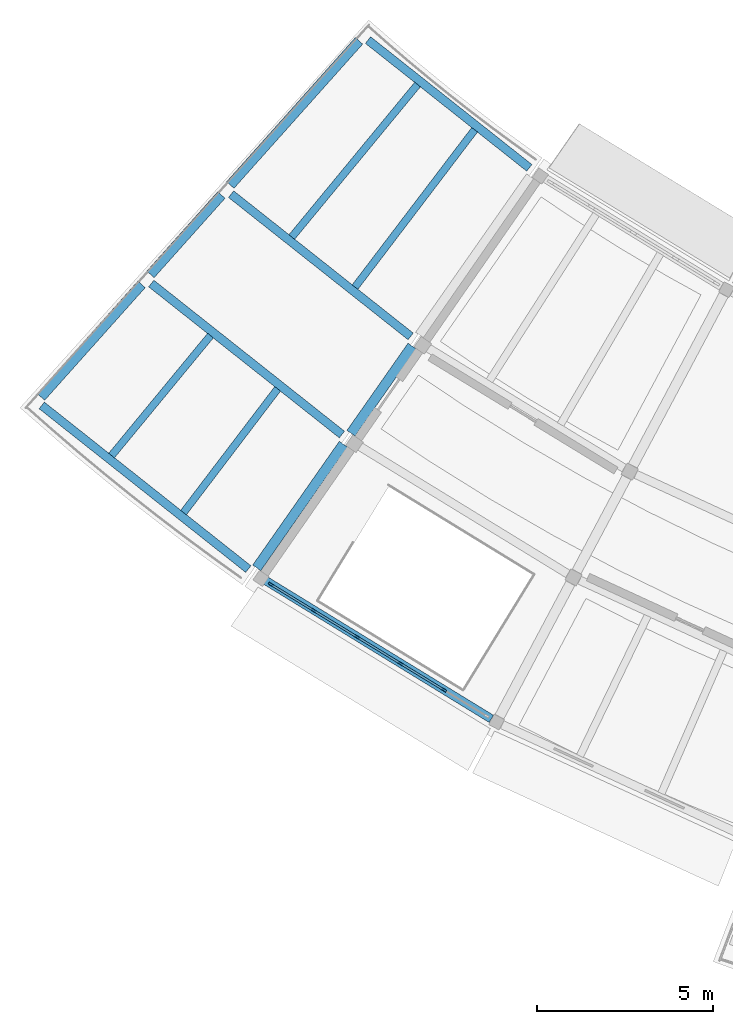
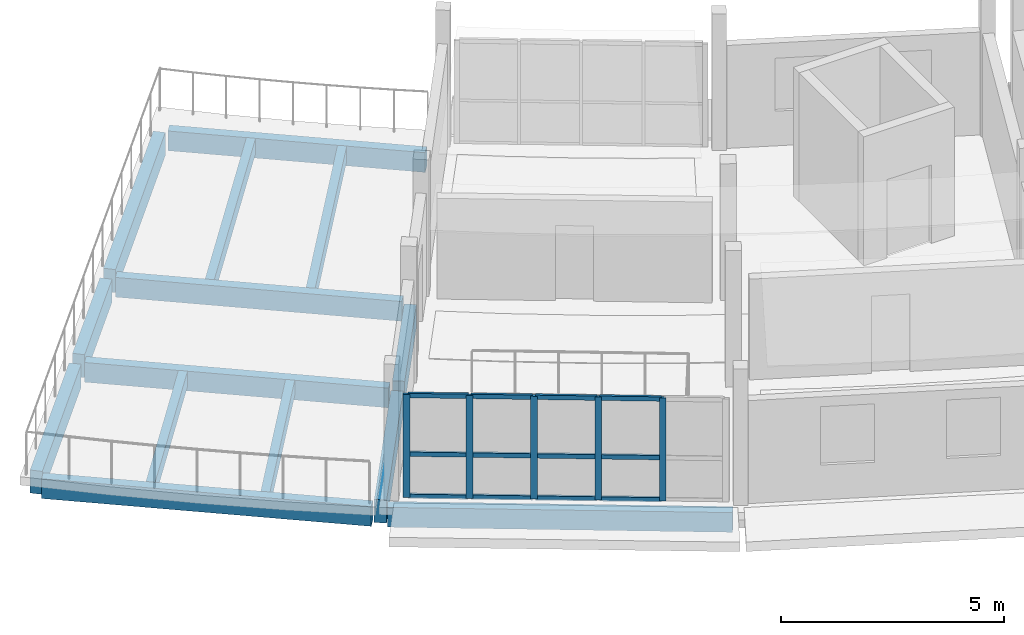
# One storey, part 6 of 24: 17 members, 14 beams, 1 element without a shape of its own.
"""IFC4 building model written with IfcOpenShell, lengths in metres."""

from ifc_helpers import new_model, si_unit, direction, frame, origin, origin_2d, place, context, subcontext, project, spatial, rectangle, extrude, material, layer, layer_set, material_profile, profile_set, type_object, element, aggregate, save


model = new_model("IFC4")

# Units and contexts
model_context = context("Model", 3, precision=1e-05, world=origin(), true_north=direction((0.0, 1.0)))
body_context = subcontext(model_context, "Body", "Model", "MODEL_VIEW")
ifc_project = project(units=[si_unit("LENGTHUNIT", "METRE"), si_unit("AREAUNIT", "SQUARE_METRE"), si_unit("VOLUMEUNIT", "CUBIC_METRE"), si_unit("PLANEANGLEUNIT", "RADIAN"), si_unit("MASSUNIT", "GRAM", prefix="KILO")], contexts=[model_context])

# Site, building, storey
site_placement = place(None, origin())
site = spatial("IfcSite", under=ifc_project, at=site_placement, CompositionType="ELEMENT")
building_placement = place(site_placement, origin())
building = spatial("IfcBuilding", under=site, at=building_placement, Name="Caldaven Crescent School", CompositionType="ELEMENT")
storey_placement = place(building_placement, frame((0.0, 0.0, 15.639892578125)))
storey = spatial("IfcBuildingStorey", under=building, at=storey_placement, Name="L04", CompositionType="ELEMENT", Elevation=15.639892578125)

# Beams
ifc_material_1 = material(Name="Glulam MLE24h (GL28h)", Category="wood")
ifc_material_profile_1 = material_profile(ifc_material_1, rectangle(XDim=0.239990234375, YDim=0.5400390625, at=origin_2d()), Name="MLE 240x540")
ifc_profile_set_1 = profile_set([ifc_material_profile_1], Name="Glulam MLE24h (GL28h)")
beam_type_1 = type_object("IfcBeamType", Name="BM-GL54", PredefinedType="BEAM", material=ifc_profile_set_1)
beam_1_placement = place(storey_placement, frame((49.31640625, 52.397216796875, -0.5), z_axis=(0.783882809114, -0.620908802945, 0.0), x_axis=(0.620908802945, 0.783882809114, 0.0)))
element("IfcBeam", 1, at=beam_1_placement, inside=storey, type_object=beam_type_1, Name="BMT-V4W-L04-1532", PredefinedType="BEAM", context=body_context, shape_type="SweptSolid", body=[
    extrude(rectangle(XDim=0.239990234375, YDim=0.5400390625, at=origin_2d()), origin(), (0.0, 0.0, 1.0), 6.5),
])
beam_2_placement = place(storey_placement, frame((47.0517578125, 49.861083984375, -0.5), z_axis=(0.783886544917, -0.620904086553, 0.0), x_axis=(0.620904086553, 0.783886544917, 0.0)))
element("IfcBeam", 2, at=beam_2_placement, inside=storey, type_object=beam_type_1, Name="BMT-V4W-L04-1533", PredefinedType="BEAM", context=body_context, shape_type="SweptSolid", body=[
    extrude(rectangle(XDim=0.239990234375, YDim=0.5400390625, at=origin_2d()), origin(), (0.0, 0.0, 1.0), 6.901123046875),
])
ifc_material_profile_2 = material_profile(ifc_material_1, rectangle(XDim=0.280029296875, YDim=0.6298828125, at=origin_2d()), Name="MLE 280x630")
ifc_profile_set_2 = profile_set([ifc_material_profile_2], Name="Glulam MLE24h (GL28h)")
beam_type_2 = type_object("IfcBeamType", Name="BM-GL63", PredefinedType="BEAM", material=ifc_profile_set_2)
beam_3_placement = place(storey_placement, frame((52.947509765625, 56.748046875, -0.544921875), z_axis=(-0.666052918359, -0.745904491169, 0.0), x_axis=(0.745904491169, -0.666052918359, 0.0)))
element("IfcBeam", 3, at=beam_3_placement, inside=storey, type_object=beam_type_2, Name="BMR-V4W-L04-1519", PredefinedType="BEAM", context=body_context, shape_type="SweptSolid", body=[
    extrude(rectangle(XDim=0.280029296875, YDim=0.6298828125, at=origin_2d()), origin(), (0.0, 0.0, 1.0), 5.485107421875),
])
beam_4_placement = place(storey_placement, frame((49.041015625, 52.37353515625, -0.544921875), z_axis=(-0.666043078993, -0.745913277081, 0.0), x_axis=(0.745913277081, -0.666043078993, 0.0)))
element("IfcBeam", 4, at=beam_4_placement, inside=storey, type_object=beam_type_2, Name="BMR-V4W-L04-1520", PredefinedType="BEAM", context=body_context, shape_type="SweptSolid", body=[
    extrude(rectangle(XDim=0.280029296875, YDim=0.6298828125, at=origin_2d()), origin(), (0.0, 0.0, 1.0), 3.02001953125),
])
beam_5_placement = place(storey_placement, frame((46.7763671875, 49.83740234375, -0.544921875), z_axis=(-0.666098417843, -0.745863860062, 0.0), x_axis=(0.745863860062, -0.666098417843, 0.0)))
element("IfcBeam", 5, at=beam_5_placement, inside=storey, type_object=beam_type_2, Name="BMR-V4W-L04-1521", PredefinedType="BEAM", context=body_context, shape_type="SweptSolid", body=[
    extrude(rectangle(XDim=0.280029296875, YDim=0.6298828125, at=origin_2d()), origin(), (0.0, 0.0, 1.0), 4.284912109375),
])
beam_6_placement = place(storey_placement, frame((54.451416015625, 48.087890625, -0.544921875), z_axis=(-0.573565425398, -0.819159754131, 0.0), x_axis=(0.819159754131, -0.573565425398, 0.0)))
element("IfcBeam", 6, at=beam_6_placement, inside=storey, type_object=beam_type_2, Name="BMR-V4W-L04-1523", PredefinedType="BEAM", context=body_context, shape_type="SweptSolid", body=[
    extrude(rectangle(XDim=0.280029296875, YDim=0.6298828125, at=origin_2d()), origin(), (0.0, 0.0, 1.0), 3.02001953125),
])
beam_7_placement = place(storey_placement, frame((52.50146484375, 45.302734375, -0.544921875), z_axis=(-0.57361910929, -0.819122162719, 0.0), x_axis=(0.819122162719, -0.57361910929, 0.0)))
element("IfcBeam", 7, at=beam_7_placement, inside=storey, type_object=beam_type_2, Name="BMR-V4W-L04-1524", PredefinedType="BEAM", context=body_context, shape_type="SweptSolid", body=[
    extrude(rectangle(XDim=0.280029296875, YDim=0.6298828125, at=origin_2d()), origin(), (0.0, 0.0, 1.0), 4.28515625),
])

# Curtain wall, members
ifc_material_2 = material(Name="Anodised aluminium AA 6063-T6 and low-E double glazing", Category="aluminium")
ifc_layer = layer(ifc_material_2, 0.2099609375)
ifc_layer_set = layer_set([ifc_layer], Name="Anodised aluminium AA 6063-T6 and low-E double glazing")
curtain_wall_type = type_object("IfcCurtainWallType", Name="CW-SYS3", PredefinedType="NOTDEFINED", material=ifc_layer_set)
curtain_wall_placement = place(storey_placement, origin())
curtain_wall = element("IfcCurtainWall", 8, at=curtain_wall_placement, inside=storey, type_object=curtain_wall_type, Name="CW-L04-168", PredefinedType="NOTDEFINED")
ifc_material_3 = material(Name="Anodised aluminium AA 6063-T6", Category="aluminium")
ifc_material_profile_3 = material_profile(ifc_material_3, rectangle(XDim=0.06005859375, YDim=0.14990234375, at=origin_2d()), Name="CWM 60x150")
ifc_profile_set_3 = profile_set([ifc_material_profile_3], Name="Anodised aluminium AA 6063-T6")
member_type_1 = type_object("IfcMemberType", Name="CWM-T1", PredefinedType="MULLION", material=ifc_profile_set_3)
member_1_placement = place(storey_placement, frame((50.447998046875, 41.32177734375, 0.0), z_axis=(0.0, 0.0, 1.0), x_axis=(0.520750472041, 0.8537089351, 0.0)))
member_1 = element("IfcMember", 9, at=member_1_placement, type_object=member_type_1, Name="CW3 mullion 1", PredefinedType="MULLION", context=body_context, shape_type="SweptSolid", body=[
    extrude(rectangle(XDim=0.06005859375, YDim=0.14990234375, at=origin_2d()), origin(), (0.0, 0.0, 1.0), 2.820068359375),
])
member_2_placement = place(storey_placement, frame((51.65673828125, 40.58447265625, 0.0), z_axis=(0.0, 0.0, 1.0), x_axis=(0.520750472041, 0.8537089351, 0.0)))
member_2 = element("IfcMember", 10, at=member_2_placement, type_object=member_type_1, Name="CW3 mullion 2", PredefinedType="MULLION", context=body_context, shape_type="SweptSolid", body=[
    extrude(rectangle(XDim=0.06005859375, YDim=0.14990234375, at=origin_2d()), origin(), (0.0, 0.0, 1.0), 2.820068359375),
])
member_3_placement = place(storey_placement, frame((52.89111328125, 39.83154296875, 0.0), z_axis=(0.0, 0.0, 1.0), x_axis=(0.520750472041, 0.8537089351, 0.0)))
member_3 = element("IfcMember", 11, at=member_3_placement, type_object=member_type_1, Name="CW3 mullion 3", PredefinedType="MULLION", context=body_context, shape_type="SweptSolid", body=[
    extrude(rectangle(XDim=0.06005859375, YDim=0.14990234375, at=origin_2d()), origin(), (0.0, 0.0, 1.0), 2.820068359375),
])
member_4_placement = place(storey_placement, frame((54.125732421875, 39.07861328125, 0.0), z_axis=(0.0, 0.0, 1.0), x_axis=(0.520750472041, 0.8537089351, 0.0)))
member_4 = element("IfcMember", 12, at=member_4_placement, type_object=member_type_1, Name="CW3 mullion 4", PredefinedType="MULLION", context=body_context, shape_type="SweptSolid", body=[
    extrude(rectangle(XDim=0.06005859375, YDim=0.14990234375, at=origin_2d()), origin(), (0.0, 0.0, 1.0), 2.820068359375),
])
member_5_placement = place(storey_placement, frame((55.360107421875, 38.32568359375, 0.0), z_axis=(0.0, 0.0, 1.0), x_axis=(0.520750472041, 0.8537089351, 0.0)))
member_5 = element("IfcMember", 13, at=member_5_placement, type_object=member_type_1, Name="CW3 mullion 5", PredefinedType="MULLION", context=body_context, shape_type="SweptSolid", body=[
    extrude(rectangle(XDim=0.06005859375, YDim=0.14990234375, at=origin_2d()), origin(), (0.0, 0.0, 1.0), 2.820068359375),
])
ifc_material_profile_4 = material_profile(ifc_material_3, rectangle(XDim=0.06005859375, YDim=0.1201171875, at=origin_2d()), Name="CWT 60x120")
ifc_profile_set_4 = profile_set([ifc_material_profile_4], Name="Anodised aluminium AA 6063-T6")
member_type_2 = type_object("IfcMemberType", Name="CWT-T1", PredefinedType="USERDEFINED", material=ifc_profile_set_4)
member_6_placement = place(storey_placement, frame((50.4736328125, 41.306396484375, 0.030029296875), z_axis=(0.853624354215, -0.520889107096, 0.0), x_axis=(0.520889107096, 0.853624354215, 0.0)))
member_6 = element("IfcMember", 14, at=member_6_placement, type_object=member_type_2, Name="CW3 transom 1.1", ObjectType="TRANSOM", PredefinedType="USERDEFINED", context=body_context, shape_type="SweptSolid", body=[
    extrude(rectangle(XDim=0.06005859375, YDim=0.1201171875, at=origin_2d()), origin(), (0.0, 0.0, 1.0), 1.35595703125),
])
member_7_placement = place(storey_placement, frame((50.4736328125, 41.306396484375, 1.18408203125), z_axis=(0.853624354215, -0.520889107096, 0.0), x_axis=(0.520889107096, 0.853624354215, 0.0)))
member_7 = element("IfcMember", 15, at=member_7_placement, type_object=member_type_2, Name="CW3 transom 1.2", ObjectType="TRANSOM", PredefinedType="USERDEFINED", context=body_context, shape_type="SweptSolid", body=[
    extrude(rectangle(XDim=0.06005859375, YDim=0.1201171875, at=origin_2d()), origin(), (0.0, 0.0, 1.0), 1.35595703125),
])
member_8_placement = place(storey_placement, frame((50.4736328125, 41.306396484375, 2.7900390625), z_axis=(0.853624354215, -0.520889107096, 0.0), x_axis=(0.520889107096, 0.853624354215, 0.0)))
member_8 = element("IfcMember", 16, at=member_8_placement, type_object=member_type_2, Name="CW3 transom 1.3", ObjectType="TRANSOM", PredefinedType="USERDEFINED", context=body_context, shape_type="SweptSolid", body=[
    extrude(rectangle(XDim=0.06005859375, YDim=0.1201171875, at=origin_2d()), origin(), (0.0, 0.0, 1.0), 1.35595703125),
])
member_9_placement = place(storey_placement, frame((51.682373046875, 40.56884765625, 0.030029296875), z_axis=(0.853756071746, -0.520673189206, 0.0), x_axis=(0.520673189206, 0.853756071746, 0.0)))
member_9 = element("IfcMember", 17, at=member_9_placement, type_object=member_type_2, Name="CW3 transom 2.1", ObjectType="TRANSOM", PredefinedType="USERDEFINED", context=body_context, shape_type="SweptSolid", body=[
    extrude(rectangle(XDim=0.06005859375, YDim=0.1201171875, at=origin_2d()), origin(), (0.0, 0.0, 1.0), 1.385986328125),
])
member_10_placement = place(storey_placement, frame((51.682373046875, 40.56884765625, 1.18408203125), z_axis=(0.853756071746, -0.520673189206, 0.0), x_axis=(0.520673189206, 0.853756071746, 0.0)))
member_10 = element("IfcMember", 18, at=member_10_placement, type_object=member_type_2, Name="CW3 transom 2.2", ObjectType="TRANSOM", PredefinedType="USERDEFINED", context=body_context, shape_type="SweptSolid", body=[
    extrude(rectangle(XDim=0.06005859375, YDim=0.1201171875, at=origin_2d()), origin(), (0.0, 0.0, 1.0), 1.385986328125),
])
member_11_placement = place(storey_placement, frame((51.682373046875, 40.56884765625, 2.7900390625), z_axis=(0.853756071746, -0.520673189206, 0.0), x_axis=(0.520673189206, 0.853756071746, 0.0)))
member_11 = element("IfcMember", 19, at=member_11_placement, type_object=member_type_2, Name="CW3 transom 2.3", ObjectType="TRANSOM", PredefinedType="USERDEFINED", context=body_context, shape_type="SweptSolid", body=[
    extrude(rectangle(XDim=0.06005859375, YDim=0.1201171875, at=origin_2d()), origin(), (0.0, 0.0, 1.0), 1.385986328125),
])
member_12_placement = place(storey_placement, frame((52.916748046875, 39.81591796875, 0.030029296875), z_axis=(0.853756071746, -0.520673189206, 0.0), x_axis=(0.520673189206, 0.853756071746, 0.0)))
member_12 = element("IfcMember", 20, at=member_12_placement, type_object=member_type_2, Name="CW3 transom 3.1", ObjectType="TRANSOM", PredefinedType="USERDEFINED", context=body_context, shape_type="SweptSolid", body=[
    extrude(rectangle(XDim=0.06005859375, YDim=0.1201171875, at=origin_2d()), origin(), (0.0, 0.0, 1.0), 1.385986328125),
])
member_13_placement = place(storey_placement, frame((52.916748046875, 39.81591796875, 1.18408203125), z_axis=(0.853756071746, -0.520673189206, 0.0), x_axis=(0.520673189206, 0.853756071746, 0.0)))
member_13 = element("IfcMember", 21, at=member_13_placement, type_object=member_type_2, Name="CW3 transom 3.2", ObjectType="TRANSOM", PredefinedType="USERDEFINED", context=body_context, shape_type="SweptSolid", body=[
    extrude(rectangle(XDim=0.06005859375, YDim=0.1201171875, at=origin_2d()), origin(), (0.0, 0.0, 1.0), 1.385986328125),
])
member_14_placement = place(storey_placement, frame((52.916748046875, 39.81591796875, 2.7900390625), z_axis=(0.853756071746, -0.520673189206, 0.0), x_axis=(0.520673189206, 0.853756071746, 0.0)))
member_14 = element("IfcMember", 22, at=member_14_placement, type_object=member_type_2, Name="CW3 transom 3.3", ObjectType="TRANSOM", PredefinedType="USERDEFINED", context=body_context, shape_type="SweptSolid", body=[
    extrude(rectangle(XDim=0.06005859375, YDim=0.1201171875, at=origin_2d()), origin(), (0.0, 0.0, 1.0), 1.385986328125),
])
member_15_placement = place(storey_placement, frame((54.151123046875, 39.06298828125, 0.030029296875), z_axis=(0.853756071746, -0.520673189206, 0.0), x_axis=(0.520673189206, 0.853756071746, 0.0)))
member_15 = element("IfcMember", 23, at=member_15_placement, type_object=member_type_2, Name="CW3 transom 4.1", ObjectType="TRANSOM", PredefinedType="USERDEFINED", context=body_context, shape_type="SweptSolid", body=[
    extrude(rectangle(XDim=0.06005859375, YDim=0.1201171875, at=origin_2d()), origin(), (0.0, 0.0, 1.0), 1.385986328125),
])
member_16_placement = place(storey_placement, frame((54.151123046875, 39.06298828125, 1.18408203125), z_axis=(0.853756071746, -0.520673189206, 0.0), x_axis=(0.520673189206, 0.853756071746, 0.0)))
member_16 = element("IfcMember", 24, at=member_16_placement, type_object=member_type_2, Name="CW3 transom 4.2", ObjectType="TRANSOM", PredefinedType="USERDEFINED", context=body_context, shape_type="SweptSolid", body=[
    extrude(rectangle(XDim=0.06005859375, YDim=0.1201171875, at=origin_2d()), origin(), (0.0, 0.0, 1.0), 1.385986328125),
])
member_17_placement = place(storey_placement, frame((54.151123046875, 39.06298828125, 2.7900390625), z_axis=(0.853756071746, -0.520673189206, 0.0), x_axis=(0.520673189206, 0.853756071746, 0.0)))
member_17 = element("IfcMember", 25, at=member_17_placement, type_object=member_type_2, Name="CW3 transom 4.3", ObjectType="TRANSOM", PredefinedType="USERDEFINED", context=body_context, shape_type="SweptSolid", body=[
    extrude(rectangle(XDim=0.06005859375, YDim=0.1201171875, at=origin_2d()), origin(), (0.0, 0.0, 1.0), 1.385986328125),
])
aggregate(curtain_wall, [member_1, member_2, member_3, member_4, member_5, member_6, member_7, member_8, member_9, member_10, member_11, member_12, member_13, member_14, member_15, member_16, member_17])

# Beams
ifc_material_profile_5 = material_profile(ifc_material_1, rectangle(XDim=0.2099609375, YDim=0.419921875, at=origin_2d()), Name="MLE 210x420")
ifc_profile_set_5 = profile_set([ifc_material_profile_5], Name="Glulam MLE24h (GL28h)")
beam_type_3 = type_object("IfcBeamType", Name="JS-GL42", PredefinedType="JOIST", material=ifc_profile_set_5)
beam_8_placement = place(storey_placement, frame((54.608154296875, 55.5087890625, -0.43994140625), z_axis=(-0.636225659262, -0.771503020406, 0.0), x_axis=(0.771503020406, -0.636225659262, 0.0)))
element("IfcBeam", 26, at=beam_8_placement, inside=storey, type_object=beam_type_3, Name="JSR-V4W-L04-1535", PredefinedType="JOIST", context=body_context, shape_type="SweptSolid", body=[
    extrude(rectangle(XDim=0.2099609375, YDim=0.419921875, at=origin_2d()), origin(), (0.0, 0.0, 1.0), 5.61083984375),
])
beam_9_placement = place(storey_placement, frame((48.732177734375, 48.383544921875, -0.43994140625), z_axis=(-0.636230692262, -0.771498869878, 0.0), x_axis=(0.771498869878, -0.636230692262, 0.0)))
element("IfcBeam", 27, at=beam_9_placement, inside=storey, type_object=beam_type_3, Name="JSR-V4W-L04-1536", PredefinedType="JOIST", context=body_context, shape_type="SweptSolid", body=[
    extrude(rectangle(XDim=0.2099609375, YDim=0.419921875, at=origin_2d()), origin(), (0.0, 0.0, 1.0), 4.412841796875),
])
beam_10_placement = place(storey_placement, frame((56.22900390625, 54.224853515625, -0.43994140625), z_axis=(-0.605340292754, -0.795966789488, 0.0), x_axis=(0.795966789488, -0.605340292754, 0.0)))
element("IfcBeam", 28, at=beam_10_placement, inside=storey, type_object=beam_type_3, Name="JSR-V4W-L04-1537", PredefinedType="JOIST", context=body_context, shape_type="SweptSolid", body=[
    extrude(rectangle(XDim=0.2099609375, YDim=0.419921875, at=origin_2d()), origin(), (0.0, 0.0, 1.0), 5.61083984375),
])
beam_11_placement = place(storey_placement, frame((50.63818359375, 46.873779296875, -0.43994140625), z_axis=(-0.605324520561, -0.795978784144, 0.0), x_axis=(0.795978784144, -0.605324520561, 0.0)))
element("IfcBeam", 29, at=beam_11_placement, inside=storey, type_object=beam_type_3, Name="JSR-V4W-L04-1538", PredefinedType="JOIST", context=body_context, shape_type="SweptSolid", body=[
    extrude(rectangle(XDim=0.2099609375, YDim=0.419921875, at=origin_2d()), origin(), (0.0, 0.0, 1.0), 4.412841796875),
])
ifc_material_profile_6 = material_profile(ifc_material_1, rectangle(XDim=0.239990234375, YDim=0.5400390625, at=origin_2d()), Name="MLE 240x540")
ifc_profile_set_6 = profile_set([ifc_material_profile_6], Name="Glulam MLE24h (GL28h)")
beam_type_4 = type_object("IfcBeamType", Name="SP-GL54", PredefinedType="SPANDREL", material=ifc_profile_set_6)
beam_12_placement = place(storey_placement, frame((53.201416015625, 56.769775390625, -0.5), z_axis=(0.783882174353, -0.620909604316, 0.0), x_axis=(0.620909604316, 0.783882174353, 0.0)))
element("IfcBeam", 30, at=beam_12_placement, inside=storey, type_object=beam_type_4, Name="BMT-V4W-L04-1531", PredefinedType="SPANDREL", context=body_context, shape_type="SweptSolid", body=[
    extrude(rectangle(XDim=0.239990234375, YDim=0.5400390625, at=origin_2d()), origin(), (0.0, 0.0, 1.0), 5.83935546875),
])
beam_13_placement = place(storey_placement, frame((43.94287109375, 46.402099609375, -0.5), z_axis=(0.783869072478, -0.620926144732, 0.0), x_axis=(0.620926144732, 0.783869072478, 0.0)))
element("IfcBeam", 31, at=beam_13_placement, inside=storey, type_object=beam_type_4, Name="BMT-V4W-L04-1534", PredefinedType="SPANDREL", context=body_context, shape_type="SweptSolid", body=[
    extrude(rectangle(XDim=0.239990234375, YDim=0.5400390625, at=origin_2d()), origin(), (0.0, 0.0, 1.0), 7.4794921875),
])
beam_14_placement = place(storey_placement, frame((50.092529296875, 41.557861328125, -0.5), z_axis=(0.852633391442, -0.522509616943, 0.0), x_axis=(0.522509616943, 0.852633391442, 0.0)))
element("IfcBeam", 32, at=beam_14_placement, inside=storey, type_object=beam_type_4, Name="BMT-V4W-L04-1542", PredefinedType="SPANDREL", context=body_context, shape_type="SweptSolid", body=[
    extrude(rectangle(XDim=0.239990234375, YDim=0.5400390625, at=origin_2d()), origin(), (0.0, 0.0, 1.0), 7.751220703125),
])

save(model, "model.ifc")
